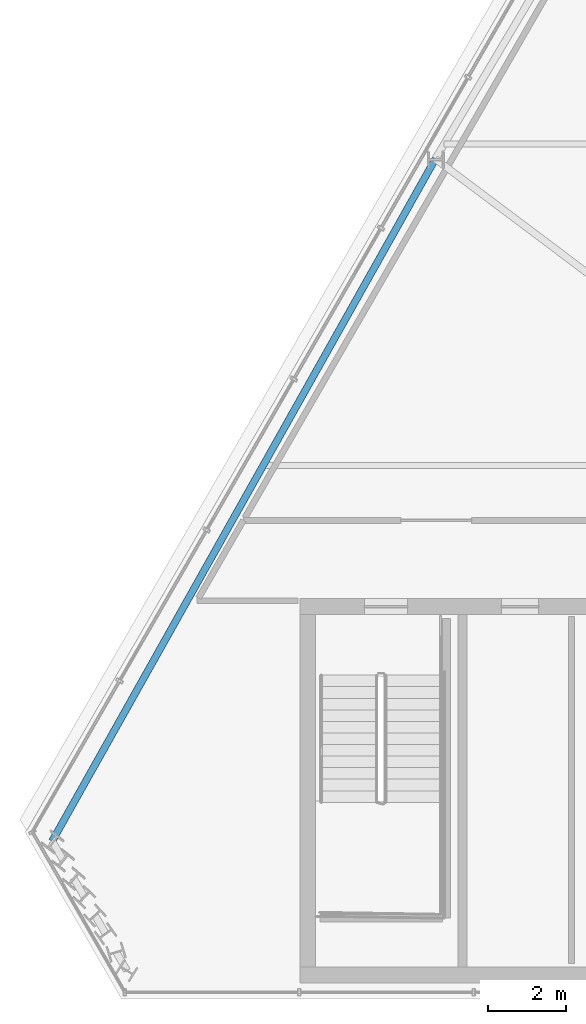
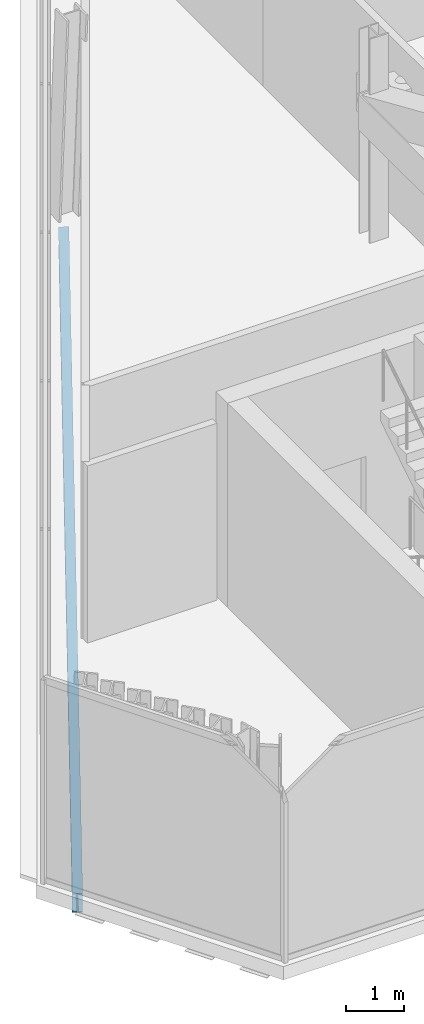
# One storey, part 6 of 32: 1 beam.
"""IFC4 building model written with IfcOpenShell, lengths in metres."""

from ifc_helpers import new_model, si_unit, direction, frame, origin, origin_2d, place, context, subcontext, project, spatial, i_section, extrude, material, material_profile, profile_set, type_object, element, save


model = new_model("IFC4")

# Units and contexts
model_context = context("Model", 3, precision=1e-05, world=origin(), true_north=direction((0.0, 1.0)))
body_context = subcontext(model_context, "Body", "Model", "MODEL_VIEW")
ifc_project = project(units=[si_unit("LENGTHUNIT", "METRE"), si_unit("AREAUNIT", "SQUARE_METRE"), si_unit("VOLUMEUNIT", "CUBIC_METRE"), si_unit("PLANEANGLEUNIT", "RADIAN"), si_unit("MASSUNIT", "GRAM", prefix="KILO")], contexts=[model_context])

# Site, building, storey
site_placement = place(None, origin())
site = spatial("IfcSite", under=ifc_project, at=site_placement, CompositionType="ELEMENT")
building_placement = place(site_placement, origin())
building = spatial("IfcBuilding", under=site, at=building_placement, Name="Ndaravel Arena Tower", CompositionType="ELEMENT")
storey_placement = place(building_placement, frame((0.0, 0.0, 278.800048828125)))
storey = spatial("IfcBuildingStorey", under=building, at=storey_placement, Name="L68", CompositionType="ELEMENT", Elevation=278.800048828125)

# Beam
ifc_material = material(Name="Steel S355", Category="steel")
ifc_material_profile = material_profile(ifc_material, i_section(OverallWidth=0.179931640625, OverallDepth=0.39990234375, WebThickness=0.008544921875, FlangeThickness=0.013427734375, FilletRadius=0.02099609375, at=origin_2d()), Name="IPE 400")
ifc_profile_set = profile_set([ifc_material_profile], Name="Steel S355")
beam_type = type_object("IfcBeamType", Name="BM-SPAN-IPE400", PredefinedType="SPANDREL", material=ifc_profile_set)
beam_placement = place(storey_placement, frame((29.9091796875, 26.422119140625, -0.47998046875), z_axis=(-0.489746157987, -0.871865070258, 0.0), x_axis=(0.871865070258, -0.489746157987, 0.0)))
element("IfcBeam", 1, at=beam_placement, inside=storey, type_object=beam_type, Name="L68 Perimeter Spandrel Beam SP-19", PredefinedType="SPANDREL", context=body_context, shape_type="SweptSolid", body=[
    extrude(i_section(OverallWidth=0.179931640625, OverallDepth=0.39990234375, WebThickness=0.008544921875, FlangeThickness=0.013427734375, FilletRadius=0.02099609375, at=origin_2d()), origin(), (0.0, 0.0, 1.0), 19.964111328125),
])

save(model, "model.ifc")
